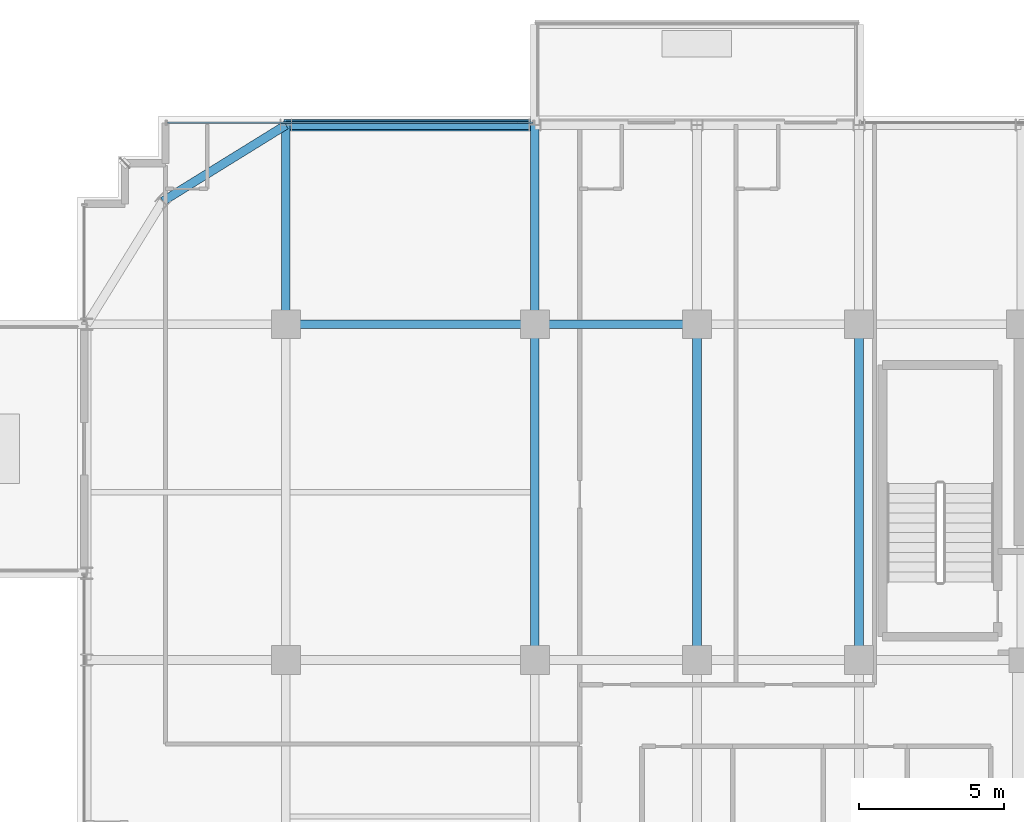
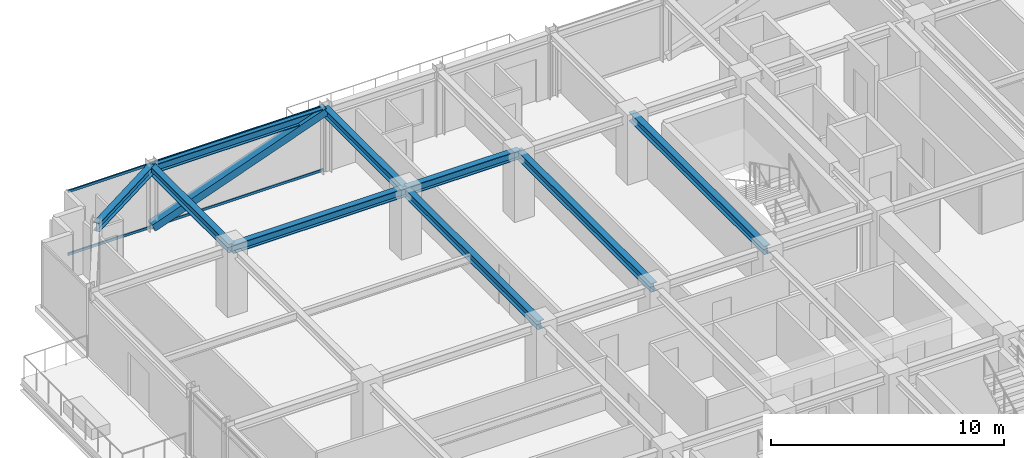
# One storey, part 21 of 41: 9 beams, 3 members, 1 element without a shape of its own.
"""IFC4 building model written with IfcOpenShell, lengths in metres."""

from ifc_helpers import new_model, si_unit, direction, frame, origin, origin_2d, place, context, subcontext, project, spatial, hollow_rectangle, i_section, extrude, source, transform, mapped, material, material_profile, profile_set, type_object, element, aggregate, save


model = new_model("IFC4")

# Units and contexts
model_context = context("Model", 3, precision=1e-05, world=origin(), true_north=direction((0.0, 1.0)))
body_context = subcontext(model_context, "Body", "Model", "MODEL_VIEW")
ifc_project = project(units=[si_unit("LENGTHUNIT", "METRE"), si_unit("AREAUNIT", "SQUARE_METRE"), si_unit("VOLUMEUNIT", "CUBIC_METRE"), si_unit("PLANEANGLEUNIT", "RADIAN"), si_unit("MASSUNIT", "GRAM", prefix="KILO")], contexts=[model_context])

# Site, building, storey
site_placement = place(None, origin())
site = spatial("IfcSite", under=ifc_project, at=site_placement, CompositionType="ELEMENT")
building_placement = place(site_placement, origin())
building = spatial("IfcBuilding", under=site, at=building_placement, Name="Nahalor Promenade Grand Hotel", CompositionType="ELEMENT")
storey_placement = place(building_placement, frame((0.0, 0.0, 227.10009765625)))
storey = spatial("IfcBuildingStorey", under=building, at=storey_placement, Name="L58", CompositionType="ELEMENT", Elevation=227.10009765625)

# Beams
ifc_material_1 = material(Name="Steel S355JR", Category="steel")
ifc_material_profile_1 = material_profile(ifc_material_1, i_section(OverallWidth=0.3, OverallDepth=0.45, WebThickness=0.014, FlangeThickness=0.026, at=origin_2d()), Name="HEB 450")
ifc_profile_set_1 = profile_set([ifc_material_profile_1], Name="Steel S355JR")
beam_type_1 = type_object("IfcBeamType", Name="Beam-Spandrel-HEB450", PredefinedType="SPANDREL", material=ifc_profile_set_1)
shared_shape_1 = source(origin(), body_context, "Body", "SweptSolid", [
    extrude(i_section(OverallWidth=0.3, OverallDepth=0.45, WebThickness=0.014, FlangeThickness=0.026, at=origin_2d()), origin(), (0.0, 0.0, 1.0), 8.60009765625),
])
beam_1_placement = place(storey_placement, frame((-17.0, 23.8798828125, 3.184814453125), z_axis=(1.0, 0.0, 0.0), x_axis=(0.0, 1.0, 0.0)))
element("IfcBeam", 1, at=beam_1_placement, inside=storey, type_object=beam_type_1, Name="BM-L58-SP-N-0", PredefinedType="SPANDREL", context=body_context, shape_type="MappedRepresentation", body=[
    mapped(shared_shape_1, transform((0.0, 0.0, 0.0), scale=1.0)),
])
shared_shape_2 = source(origin(), body_context, "Body", "SweptSolid", [
    extrude(i_section(OverallWidth=0.3, OverallDepth=0.45, WebThickness=0.014, FlangeThickness=0.026, at=origin_2d()), origin(), (0.0, 0.0, 1.0), 4.997802734375),
])
beam_2_placement = place(storey_placement, frame((-17.0, 23.8798828125, 3.184814453125), z_axis=(-0.850360908404, -0.526199891161, 0.0), x_axis=(0.526199891161, -0.850360908404, 0.0)))
element("IfcBeam", 2, at=beam_2_placement, inside=storey, type_object=beam_type_1, Name="BM-L58-SPC-NW-1", PredefinedType="SPANDREL", context=body_context, shape_type="MappedRepresentation", body=[
    mapped(shared_shape_2, transform((0.0, 0.0, 0.0), scale=1.0)),
])
ifc_material_profile_2 = material_profile(ifc_material_1, i_section(OverallWidth=0.3, OverallDepth=0.45, WebThickness=0.014, FlangeThickness=0.026, at=origin_2d()), Name="HEB 450")
ifc_profile_set_2 = profile_set([ifc_material_profile_2], Name="Steel S355JR")
beam_type_2 = type_object("IfcBeamType", Name="Beam-Girder-HEB450", PredefinedType="BEAM", material=ifc_profile_set_2)
shared_shape_3 = source(origin(), body_context, "Body", "SweptSolid", [
    extrude(i_section(OverallWidth=0.3, OverallDepth=0.45, WebThickness=0.014, FlangeThickness=0.026, at=origin_2d()), origin(), (0.0, 0.0, 1.0), 6.8798828125),
])
for number, where, z_axis, x_axis, name in (
    (3, (-17.0, 17.0, 3.184814453125), (0.0, 1.0, 0.0), (-1.0, 0.0, 0.0), "BM-L58-GY-0-4"),
    (4, (-8.39990234375, 17.0, 3.184814453125), (0.0, 1.0, 0.0), (-1.0, 0.0, 0.0), "BM-L58-GY-1-4"),
):
    element("IfcBeam", number, at=place(storey_placement, frame(where, z_axis=z_axis, x_axis=x_axis)), inside=storey, type_object=beam_type_2, Name=name, PredefinedType="BEAM", context=body_context, shape_type="MappedRepresentation", body=[
        mapped(shared_shape_3, transform((0.0, 0.0, 0.0), scale=1.0)),
    ])
shared_shape_4 = source(origin(), body_context, "Body", "SweptSolid", [
    extrude(i_section(OverallWidth=0.3, OverallDepth=0.45, WebThickness=0.014, FlangeThickness=0.026, at=origin_2d()), origin(), (0.0, 0.0, 1.0), 8.60009765625),
])
beam_3_placement = place(storey_placement, frame((-17.0, 17.0, 3.184814453125), z_axis=(1.0, 0.0, 0.0), x_axis=(0.0, 1.0, 0.0)))
element("IfcBeam", 5, at=beam_3_placement, inside=storey, type_object=beam_type_2, Name="BM-L58-GX-3-1", PredefinedType="BEAM", context=body_context, shape_type="MappedRepresentation", body=[
    mapped(shared_shape_4, transform((0.0, 0.0, 0.0), scale=1.0)),
])
shared_shape_5 = source(origin(), body_context, "Body", "SweptSolid", [
    extrude(i_section(OverallWidth=0.3, OverallDepth=0.45, WebThickness=0.014, FlangeThickness=0.026, at=origin_2d()), origin(), (0.0, 0.0, 1.0), 5.599853515625),
])
beam_4_placement = place(storey_placement, frame((-8.39990234375, 17.0, 3.184814453125), z_axis=(1.0, 0.0, 0.0), x_axis=(0.0, 1.0, 0.0)))
element("IfcBeam", 6, at=beam_4_placement, inside=storey, type_object=beam_type_2, Name="BM-L58-GX-3-2", PredefinedType="BEAM", context=body_context, shape_type="MappedRepresentation", body=[
    mapped(shared_shape_5, transform((0.0, 0.0, 0.0), scale=1.0)),
])
shared_shape_6 = source(origin(), body_context, "Body", "SweptSolid", [
    extrude(i_section(OverallWidth=0.3, OverallDepth=0.45, WebThickness=0.014, FlangeThickness=0.026, at=origin_2d()), origin(), (0.0, 0.0, 1.0), 11.60009765625),
])
for number, where, z_axis, x_axis, name in (
    (7, (-8.39990234375, 5.39990234375, 3.184814453125), (0.0, 1.0, 0.0), (-1.0, 0.0, 0.0), "BM-L58-GY-1-3"),
    (8, (-2.800048828125, 5.39990234375, 3.184814453125), (0.0, 1.0, 0.0), (-1.0, 0.0, 0.0), "BM-L58-GY-2-3"),
    (9, (2.800048828125, 5.39990234375, 3.184814453125), (0.0, 1.0, 0.0), (-1.0, 0.0, 0.0), "BM-L58-GY-3-3"),
):
    element("IfcBeam", number, at=place(storey_placement, frame(where, z_axis=z_axis, x_axis=x_axis)), inside=storey, type_object=beam_type_2, Name=name, PredefinedType="BEAM", context=body_context, shape_type="MappedRepresentation", body=[
        mapped(shared_shape_6, transform((0.0, 0.0, 0.0), scale=1.0)),
    ])

# Member
ifc_material_profile_3 = material_profile(ifc_material_1, hollow_rectangle(XDim=0.4, YDim=0.4, WallThickness=0.022, at=origin_2d()), Name="SHS 400x400x22")
ifc_profile_set_3 = profile_set([ifc_material_profile_3], Name="Steel S355JR")
member_type_1 = type_object("IfcMemberType", Name="Mem-ExoBrace-SHS400", PredefinedType="BRACE", material=ifc_profile_set_3)
shared_shape_7 = source(origin(), body_context, "Body", "SweptSolid", [
    extrude(hollow_rectangle(XDim=0.4, YDim=0.4, WallThickness=0.022, at=origin_2d()), origin(), (0.0, 0.0, 1.0), 9.145263671875),
])
member_1_placement = place(storey_placement, frame((-17.0, 23.8798828125, 0.14990234375), z_axis=(0.940396027132, 0.0, 0.340081331676), x_axis=(0.0, 1.0, 0.0)))
element("IfcMember", 10, at=member_1_placement, inside=storey, type_object=member_type_1, Name="EXO-L58-N-0", PredefinedType="BRACE", context=body_context, shape_type="MappedRepresentation", body=[
    mapped(shared_shape_7, transform((0.0, 0.0, 0.0), scale=1.0)),
])

# Curtain wall, members
ifc_material_2 = material(Name="Anodised Bronze Aluminium EN AW-6063 T6", Category="aluminium")
curtain_wall_type = type_object("IfcCurtainWallType", Name="CW2 Typical Hotel Flush Bronze Unitised Curtain Wall", PredefinedType="USERDEFINED", material=ifc_material_2)
curtain_wall_placement = place(storey_placement, origin())
curtain_wall = element("IfcCurtainWall", 11, at=curtain_wall_placement, inside=storey, type_object=curtain_wall_type, Name="L58 Curtain Wall CW-L58-N-1", ObjectType="UNITISED_CURTAIN_WALL", PredefinedType="USERDEFINED")
ifc_material_profile_4 = material_profile(ifc_material_2, hollow_rectangle(XDim=0.065, YDim=0.13, WallThickness=0.004, at=origin_2d()), Name="CWT 65x130x4")
ifc_profile_set_4 = profile_set([ifc_material_profile_4], Name="Anodised Bronze Aluminium EN AW-6063 T6")
member_type_2 = type_object("IfcMemberType", Name="CWT2 Typical Bronze Transom 65x130", PredefinedType="USERDEFINED", material=ifc_profile_set_4)
shared_shape_8 = source(origin(), body_context, "Body", "SweptSolid", [
    extrude(hollow_rectangle(XDim=0.065, YDim=0.13, WallThickness=0.004, at=origin_2d()), origin(), (0.0, 0.0, 1.0), 12.6298828125),
])
member_2_placement = place(storey_placement, frame((-21.094970703125, 23.9599609375, 0.06494140625), z_axis=(1.0, 0.0, 0.0), x_axis=(0.0, 1.0, 0.0)))
member_2 = element("IfcMember", 12, at=member_2_placement, type_object=member_type_2, Name="CW-L58-N-1 Transom 0-0", ObjectType="TRANSOM", PredefinedType="USERDEFINED", context=body_context, shape_type="MappedRepresentation", body=[
    mapped(shared_shape_8, transform((0.0, 0.0, 0.0), scale=1.0)),
])
member_3_placement = place(storey_placement, frame((-21.094970703125, 23.9599609375, 3.344970703125), z_axis=(1.0, 0.0, 0.0), x_axis=(0.0, 1.0, 0.0)))
member_3 = element("IfcMember", 13, at=member_3_placement, type_object=member_type_2, Name="CW-L58-N-1 Transom 0-1", ObjectType="TRANSOM", PredefinedType="USERDEFINED", context=body_context, shape_type="MappedRepresentation", body=[
    mapped(shared_shape_8, transform((0.0, 0.0, 0.0), scale=1.0)),
])
aggregate(curtain_wall, [member_2, member_3])

save(model, "model.ifc")
